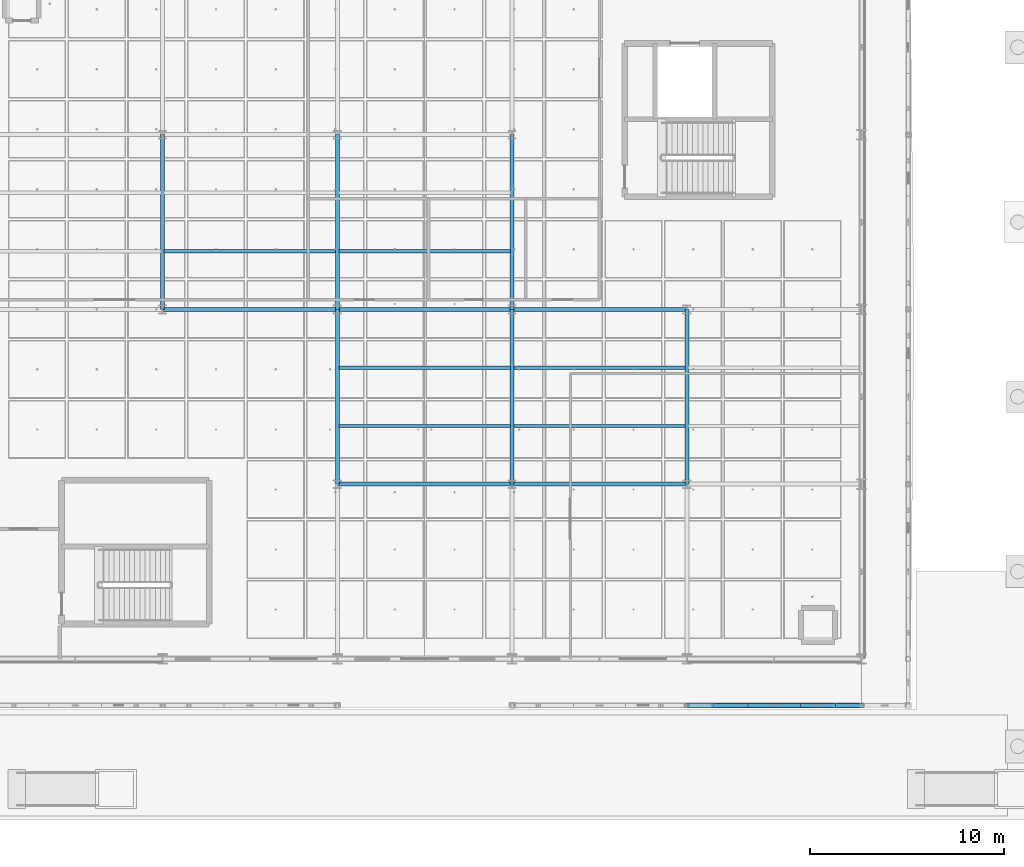
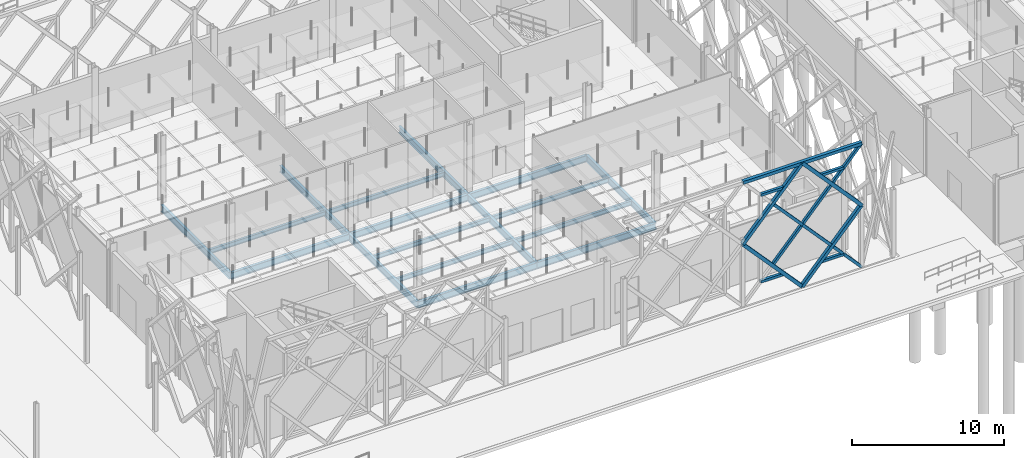
# One storey, part 37 of 180: 17 beams, 14 members.
"""IFC4 building model written with IfcOpenShell, lengths in metres."""

from ifc_helpers import new_model, si_unit, direction, frame, origin, origin_2d, place, context, subcontext, project, spatial, hollow_rectangle, i_section, extrude, material, material_profile, profile_set, type_object, element, save


model = new_model("IFC4")

# Units and contexts
model_context = context("Model", 3, precision=1e-05, world=origin(), true_north=direction((0.0, 1.0)))
body_context = subcontext(model_context, "Body", "Model", "MODEL_VIEW")
ifc_project = project(units=[si_unit("LENGTHUNIT", "METRE"), si_unit("AREAUNIT", "SQUARE_METRE"), si_unit("VOLUMEUNIT", "CUBIC_METRE"), si_unit("PLANEANGLEUNIT", "RADIAN"), si_unit("MASSUNIT", "GRAM", prefix="KILO"), si_unit("THERMODYNAMICTEMPERATUREUNIT", "KELVIN"), si_unit("POWERUNIT", "WATT")], contexts=[model_context])

# Site, building, storey
site_placement = place(None, origin())
site = spatial("IfcSite", under=ifc_project, at=site_placement, CompositionType="ELEMENT")
building_placement = place(site_placement, origin())
building = spatial("IfcBuilding", under=site, at=building_placement, Name="Tallowbark Science Centre", CompositionType="ELEMENT")
storey_placement = place(building_placement, origin())
storey = spatial("IfcBuildingStorey", under=building, at=storey_placement, Name="L00", CompositionType="ELEMENT", Elevation=0.0)

# Beams
ifc_material_1 = material(Name="Structural Steel Grade 300PLUS (300 MPa)", Category="steel")
ifc_material_profile_1 = material_profile(ifc_material_1, i_section(OverallWidth=0.208984375, OverallDepth=0.532958984375, WebThickness=0.01025390625, FlangeThickness=0.015625, FilletRadius=0.013916015625, at=origin_2d()), Name="530UB92.4")
ifc_profile_set_1 = profile_set([ifc_material_profile_1], Name="Structural Steel Grade 300PLUS (300 MPa)")
beam_type_1 = type_object("IfcBeamType", Name="BM-UB530A", PredefinedType="BEAM", material=ifc_profile_set_1)
for number, where, z_axis, x_axis, name in (
    (1, (76.5, 13.5, -0.506591796875), (1.0, 0.0, 0.0), (0.0, 1.0, 0.0), "Primary Girder GRDX-L00-765-855-135"),
    (2, (85.5, 13.5, -0.506591796875), (1.0, 0.0, 0.0), (0.0, 1.0, 0.0), "Primary Girder GRDX-L00-855-945-135"),
    (3, (67.5, 22.5, -0.506591796875), (1.0, 0.0, 0.0), (0.0, 1.0, 0.0), "Primary Girder GRDX-L00-675-765-225"),
    (4, (76.5, 22.5, -0.506591796875), (1.0, 0.0, 0.0), (0.0, 1.0, 0.0), "Primary Girder GRDX-L00-765-855-225"),
    (5, (85.5, 22.5, -0.506591796875), (1.0, 0.0, 0.0), (0.0, 1.0, 0.0), "Primary Girder GRDX-L00-855-945-225"),
):
    element("IfcBeam", number, at=place(storey_placement, frame(where, z_axis=z_axis, x_axis=x_axis)), inside=storey, type_object=beam_type_1, Name=name, PredefinedType="BEAM", context=body_context, shape_type="SweptSolid", body=[
        extrude(i_section(OverallWidth=0.208984375, OverallDepth=0.532958984375, WebThickness=0.01025390625, FlangeThickness=0.015625, FilletRadius=0.013916015625, at=origin_2d()), origin(), (0.0, 0.0, 1.0), 9.0),
    ])
ifc_material_profile_2 = material_profile(ifc_material_1, i_section(OverallWidth=0.208740234375, OverallDepth=0.5283203125, WebThickness=0.009521484375, FlangeThickness=0.01318359375, FilletRadius=0.013916015625, at=origin_2d()), Name="530UB82.0")
ifc_profile_set_2 = profile_set([ifc_material_profile_2], Name="Structural Steel Grade 300PLUS (300 MPa)")
beam_type_2 = type_object("IfcBeamType", Name="BM-UB530B", PredefinedType="BEAM", material=ifc_profile_set_2)
for number, where, z_axis, x_axis, name in (
    (6, (67.5, 22.5, -0.504150390625), (0.0, 1.0, 0.0), (-1.0, 0.0, 0.0), "Primary Girder GRDY-L00-675-225-315"),
    (7, (76.5, 13.5, -0.504150390625), (0.0, 1.0, 0.0), (-1.0, 0.0, 0.0), "Primary Girder GRDY-L00-765-135-225"),
    (8, (76.5, 22.5, -0.504150390625), (0.0, 1.0, 0.0), (-1.0, 0.0, 0.0), "Primary Girder GRDY-L00-765-225-315"),
    (9, (85.5, 13.5, -0.504150390625), (0.0, 1.0, 0.0), (-1.0, 0.0, 0.0), "Primary Girder GRDY-L00-855-135-225"),
    (10, (85.5, 22.5, -0.504150390625), (0.0, 1.0, 0.0), (-1.0, 0.0, 0.0), "Primary Girder GRDY-L00-855-225-315"),
    (11, (94.5, 13.5, -0.504150390625), (0.0, 1.0, 0.0), (-1.0, 0.0, 0.0), "Primary Girder GRDY-L00-945-135-225"),
):
    element("IfcBeam", number, at=place(storey_placement, frame(where, z_axis=z_axis, x_axis=x_axis)), inside=storey, type_object=beam_type_2, Name=name, PredefinedType="BEAM", context=body_context, shape_type="SweptSolid", body=[
        extrude(i_section(OverallWidth=0.208740234375, OverallDepth=0.5283203125, WebThickness=0.009521484375, FlangeThickness=0.01318359375, FilletRadius=0.013916015625, at=origin_2d()), origin(), (0.0, 0.0, 1.0), 9.0),
    ])
ifc_material_profile_3 = material_profile(ifc_material_1, i_section(OverallWidth=0.172119140625, OverallDepth=0.358642578125, WebThickness=0.008056640625, FlangeThickness=0.012939453125, FilletRadius=0.011474609375, at=origin_2d()), Name="360UB56.7")
ifc_profile_set_3 = profile_set([ifc_material_profile_3], Name="Structural Steel Grade 300PLUS (300 MPa)")
beam_type_3 = type_object("IfcBeamType", Name="JST-UB360", PredefinedType="JOIST", material=ifc_profile_set_3)
for number, where, z_axis, x_axis, name in (
    (12, (76.5849609375, 16.5, -0.419189453125), (1.0, 0.0, 0.0), (0.0, 1.0, 0.0), "Composite Floor Joist JSTX-L00-765-165"),
    (13, (76.5849609375, 19.5, -0.419189453125), (1.0, 0.0, 0.0), (0.0, 1.0, 0.0), "Composite Floor Joist JSTX-L00-765-195"),
    (14, (85.5849609375, 16.5, -0.419189453125), (1.0, 0.0, 0.0), (0.0, 1.0, 0.0), "Composite Floor Joist JSTX-L00-855-165"),
    (15, (85.5849609375, 19.5, -0.419189453125), (1.0, 0.0, 0.0), (0.0, 1.0, 0.0), "Composite Floor Joist JSTX-L00-855-195"),
    (16, (67.5849609375, 25.5, -0.419189453125), (1.0, 0.0, 0.0), (0.0, 1.0, 0.0), "Composite Floor Joist JSTX-L00-675-255"),
    (17, (76.5849609375, 25.5, -0.419189453125), (1.0, 0.0, 0.0), (0.0, 1.0, 0.0), "Composite Floor Joist JSTX-L00-765-255"),
):
    element("IfcBeam", number, at=place(storey_placement, frame(where, z_axis=z_axis, x_axis=x_axis)), inside=storey, type_object=beam_type_3, Name=name, PredefinedType="JOIST", context=body_context, shape_type="SweptSolid", body=[
        extrude(i_section(OverallWidth=0.172119140625, OverallDepth=0.358642578125, WebThickness=0.008056640625, FlangeThickness=0.012939453125, FilletRadius=0.011474609375, at=origin_2d()), origin(), (0.0, 0.0, 1.0), 8.830078125),
    ])

# Members
ifc_material_2 = material(Name="White Architectural Painted Steel Grade C350L0 (350 MPa)", Category="steel")
ifc_material_profile_4 = material_profile(ifc_material_2, hollow_rectangle(XDim=0.25, YDim=0.25, WallThickness=0.009033203125, at=origin_2d()), Name="250x250x9.0SHS")
ifc_profile_set_4 = profile_set([ifc_material_profile_4], Name="White Architectural Painted Steel Grade C350L0 (350 MPa)")
member_type_1 = type_object("IfcMemberType", Name="SCR-CHD200", PredefinedType="CHORD", material=ifc_profile_set_4)
member_1_placement = place(storey_placement, frame((94.5, 2.10009765625, 9.89990234375), z_axis=(1.0, 0.0, 0.0), x_axis=(0.0, 1.0, 0.0)))
element("IfcMember", 18, at=member_1_placement, inside=storey, type_object=member_type_1, Name="Star Screen Frame Chord S-8", PredefinedType="CHORD", context=body_context, shape_type="SweptSolid", body=[
    extrude(hollow_rectangle(XDim=0.25, YDim=0.25, WallThickness=0.009033203125, at=origin_2d()), origin(), (0.0, 0.0, 1.0), 9.0),
])
for number, where, z_axis, x_axis, name in (
    (19, (99.0, 2.10009765625, 0.0), (0.672676426978, 0.0, 0.739936770669), (0.0, 1.0, 0.0), "Star Screen Octagram Diamond Chord S-8-1"),
    (20, (103.5, 2.10009765625, 4.949951171875), (-0.672676426978, 0.0, 0.739936770669), (0.0, -1.0, 0.0), "Star Screen Octagram Diamond Chord S-8-2"),
    (21, (99.0, 2.10009765625, 9.89990234375), (-0.672676426978, 0.0, -0.739936770669), (0.0, -1.0, 0.0), "Star Screen Octagram Diamond Chord S-8-3"),
    (22, (94.5, 2.10009765625, 4.949951171875), (0.672676426978, 0.0, -0.739936770669), (0.0, 1.0, 0.0), "Star Screen Octagram Diamond Chord S-8-4"),
):
    element("IfcMember", number, at=place(storey_placement, frame(where, z_axis=z_axis, x_axis=x_axis)), inside=storey, type_object=member_type_1, Name=name, PredefinedType="CHORD", context=body_context, shape_type="SweptSolid", body=[
        extrude(hollow_rectangle(XDim=0.25, YDim=0.25, WallThickness=0.009033203125, at=origin_2d()), origin(), (0.0, 0.0, 1.0), 6.689697265625),
    ])
ifc_material_profile_5 = material_profile(ifc_material_2, hollow_rectangle(XDim=0.199951171875, YDim=0.199951171875, WallThickness=0.009033203125, at=origin_2d()), Name="200x200x9.0SHS")
ifc_profile_set_5 = profile_set([ifc_material_profile_5], Name="White Architectural Painted Steel Grade C350L0 (350 MPa)")
member_type_2 = type_object("IfcMemberType", Name="SCR-STAR139", PredefinedType="BRACE", material=ifc_profile_set_5)
member_2_placement = place(storey_placement, frame((96.75, 2.10009765625, 2.47509765625), z_axis=(0.672676426978, 0.0, 0.739936770669), x_axis=(0.0, 1.0, 0.0)))
element("IfcMember", 23, at=member_2_placement, inside=storey, type_object=member_type_2, Name="Star Screen Continuous X-Diagonal D1M S-8", PredefinedType="BRACE", context=body_context, shape_type="SweptSolid", body=[
    extrude(hollow_rectangle(XDim=0.199951171875, YDim=0.199951171875, WallThickness=0.009033203125, at=origin_2d()), origin(), (0.0, 0.0, 1.0), 6.689697265625),
])
member_3_placement = place(storey_placement, frame((101.25, 2.10009765625, 7.425048828125), z_axis=(0.672694592231, 0.0, 0.739920256233), x_axis=(0.0, 1.0, 0.0)))
element("IfcMember", 24, at=member_3_placement, inside=storey, type_object=member_type_2, Name="Star Screen Continuous X-Diagonal D1B S-8", PredefinedType="BRACE", context=body_context, shape_type="SweptSolid", body=[
    extrude(hollow_rectangle(XDim=0.199951171875, YDim=0.199951171875, WallThickness=0.009033203125, at=origin_2d()), origin(), (0.0, 0.0, 1.0), 3.3447265625),
])
member_4_placement = place(storey_placement, frame((96.75, 2.10009765625, 7.425048828125), z_axis=(0.672658262301, 0.0, -0.739953283768), x_axis=(0.0, 1.0, 0.0)))
element("IfcMember", 25, at=member_4_placement, inside=storey, type_object=member_type_2, Name="Star Screen Split X-Diagonal D2B S-8", PredefinedType="BRACE", context=body_context, shape_type="SweptSolid", body=[
    extrude(hollow_rectangle(XDim=0.199951171875, YDim=0.199951171875, WallThickness=0.009033203125, at=origin_2d()), origin(), (0.0, 0.0, 1.0), 3.344970703125),
])
member_5_placement = place(storey_placement, frame((99.0, 2.10009765625, 4.949951171875), z_axis=(0.672694592231, 0.0, -0.739920256233), x_axis=(0.0, 1.0, 0.0)))
element("IfcMember", 26, at=member_5_placement, inside=storey, type_object=member_type_2, Name="Star Screen Split X-Diagonal D2C S-8", PredefinedType="BRACE", context=body_context, shape_type="SweptSolid", body=[
    extrude(hollow_rectangle(XDim=0.199951171875, YDim=0.199951171875, WallThickness=0.009033203125, at=origin_2d()), origin(), (0.0, 0.0, 1.0), 3.3447265625),
])
member_6_placement = place(storey_placement, frame((101.25, 2.10009765625, 2.47509765625), z_axis=(0.672658262301, 0.0, -0.739953283768), x_axis=(0.0, 1.0, 0.0)))
element("IfcMember", 27, at=member_6_placement, inside=storey, type_object=member_type_2, Name="Star Screen Split X-Diagonal D2D S-8", PredefinedType="BRACE", context=body_context, shape_type="SweptSolid", body=[
    extrude(hollow_rectangle(XDim=0.199951171875, YDim=0.199951171875, WallThickness=0.009033203125, at=origin_2d()), origin(), (0.0, 0.0, 1.0), 3.344970703125),
])
ifc_material_profile_6 = material_profile(ifc_material_2, hollow_rectangle(XDim=0.199951171875, YDim=0.199951171875, WallThickness=0.009033203125, at=origin_2d()), Name="200x200x9.0SHS")
ifc_profile_set_6 = profile_set([ifc_material_profile_6], Name="White Architectural Painted Steel Grade C350L0 (350 MPa)")
member_type_3 = type_object("IfcMemberType", Name="SCR-SUB150", PredefinedType="BRACE", material=ifc_profile_set_6)
for number, where, z_axis, x_axis, name in (
    (28, (95.85009765625, 2.10009765625, 1.485107421875), (1.0, 0.0, 0.0), (0.0, 1.0, 0.0), "Star Screen Octagram Point Ray S-8-1"),
    (29, (102.14990234375, 2.10009765625, 1.485107421875), (-1.0, 0.0, 0.0), (0.0, -1.0, 0.0), "Star Screen Octagram Point Ray S-8-3"),
    (30, (102.14990234375, 2.10009765625, 8.4150390625), (-1.0, 0.0, 0.0), (0.0, -1.0, 0.0), "Star Screen Octagram Point Ray S-8-5"),
    (31, (95.85009765625, 2.10009765625, 8.4150390625), (1.0, 0.0, 0.0), (0.0, 1.0, 0.0), "Star Screen Octagram Point Ray S-8-7"),
):
    element("IfcMember", number, at=place(storey_placement, frame(where, z_axis=z_axis, x_axis=x_axis)), inside=storey, type_object=member_type_3, Name=name, PredefinedType="BRACE", context=body_context, shape_type="SweptSolid", body=[
        extrude(hollow_rectangle(XDim=0.199951171875, YDim=0.199951171875, WallThickness=0.009033203125, at=origin_2d()), origin(), (0.0, 0.0, 1.0), 1.7998046875),
    ])

save(model, "model.ifc")
